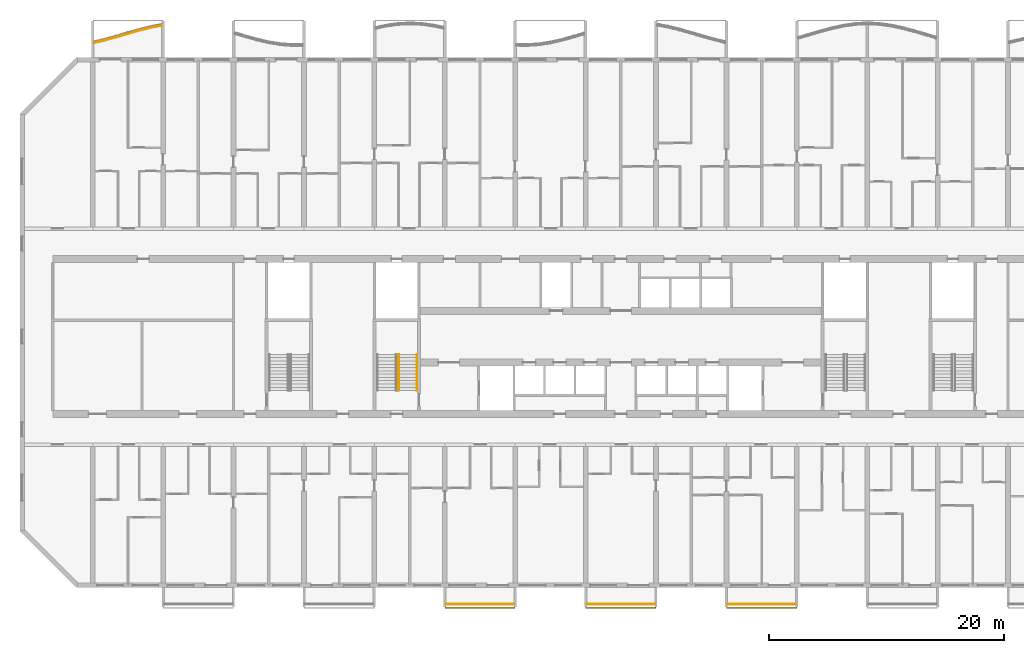
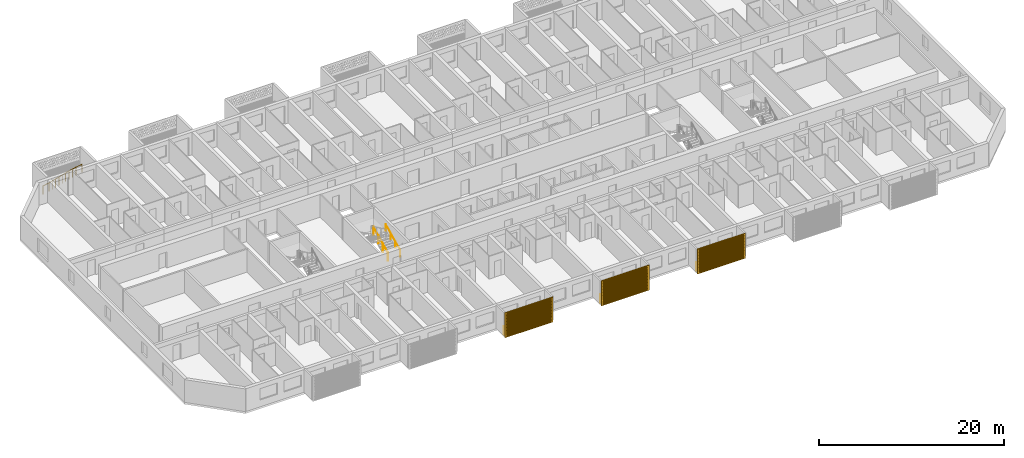
# One storey, part 20 of 38: 6 railings, 3 shading devices.
"""IFC4 building model written with IfcOpenShell, lengths in metres."""

from ifc_helpers import new_model, si_unit, direction, frame, origin, origin_2d, place, context, subcontext, project, spatial, polyline, circle, outline, extrude, source, transform, mapped, material, material_profile, profile_set, type_object, element, save


model = new_model("IFC4")

# Units and contexts
model_context = context("Model", 3, precision=1e-05, world=origin(), true_north=direction((0.0, 1.0)))
body_context = subcontext(model_context, "Body", "Model", "MODEL_VIEW")
ifc_project = project(units=[si_unit("LENGTHUNIT", "METRE"), si_unit("AREAUNIT", "SQUARE_METRE"), si_unit("VOLUMEUNIT", "CUBIC_METRE"), si_unit("PLANEANGLEUNIT", "RADIAN"), si_unit("MASSUNIT", "GRAM", prefix="KILO")], contexts=[model_context])

# Site, building, storey
site_placement = place(None, origin())
site = spatial("IfcSite", under=ifc_project, at=site_placement, CompositionType="ELEMENT")
building_placement = place(site_placement, origin())
building = spatial("IfcBuilding", under=site, at=building_placement, Name="Poui Terraces", CompositionType="ELEMENT")
storey_placement = place(building_placement, frame((0.0, 0.0, 49.800048828125)))
storey = spatial("IfcBuildingStorey", under=building, at=storey_placement, Name="L13", CompositionType="ELEMENT", Elevation=49.800048828125)

# Railings
ifc_material_1 = material(Name="Painted steel fretwork", Category="steel")
railing_type_1 = type_object("IfcRailingType", Name="BALCONY GUARD 1100", PredefinedType="GUARDRAIL", material=ifc_material_1)
railing_1_placement = place(storey_placement, frame((6.125, 46.21923828125, 0.0)))
element("IfcRailing", 1, at=railing_1_placement, inside=storey, type_object=railing_type_1, Name="BALCONY GUARD", PredefinedType="GUARDRAIL", context=body_context, shape_type="SweptSolid", body=[
    extrude(circle(Radius=0.02392578125, at=origin_2d()), frame((0.0, 0.0, 1.076171875), z_axis=(0.974216814209, 0.225613826951, 0.0), x_axis=(-0.225613826951, 0.974216814209, 0.0)), (0.0, 0.0, 1.0), 0.898193359375),
    extrude(circle(Radius=0.02392578125, at=origin_2d()), frame((0.875, 0.20263671875, 1.076171875), z_axis=(0.963988457226, 0.265944081217, 0.0), x_axis=(-0.265944081217, 0.963988457226, 0.0)), (0.0, 0.0, 1.0), 1.037353515625),
    extrude(circle(Radius=0.02392578125, at=origin_2d()), frame((1.875, 0.478515625, 1.076171875), z_axis=(0.958774495191, 0.284168026651, 0.0), x_axis=(-0.284168026651, 0.958774495191, 0.0)), (0.0, 0.0, 1.0), 1.04296875),
    extrude(circle(Radius=0.02392578125, at=origin_2d()), frame((2.875, 0.77490234375, 1.076171875), z_axis=(0.96141758688, 0.275093118121, 0.0), x_axis=(-0.275093118121, 0.96141758688, 0.0)), (0.0, 0.0, 1.0), 1.0400390625),
    extrude(circle(Radius=0.02392578125, at=origin_2d()), frame((3.875, 1.06103515625, 1.076171875), z_axis=(0.970918311966, 0.239411009542, 0.0), x_axis=(-0.239411009542, 0.970918311966, 0.0)), (0.0, 0.0, 1.0), 1.030029296875),
    extrude(circle(Radius=0.02392578125, at=origin_2d()), frame((4.875, 1.3076171875, 1.076171875), z_axis=(0.983119723729, 0.182963408406, 0.0), x_axis=(-0.182963408406, 0.983119723729, 0.0)), (0.0, 0.0, 1.0), 0.89013671875),
    extrude(circle(Radius=0.02099609375, at=origin_2d()), origin(), (0.0, 0.0, 1.0), 1.052001953125),
    extrude(circle(Radius=0.02099609375, at=origin_2d()), frame((0.875, 0.20263671875, 0.0)), (0.0, 0.0, 1.0), 1.052001953125),
    extrude(circle(Radius=0.02099609375, at=origin_2d()), frame((1.375, 0.340576171875, 0.0)), (0.0, 0.0, 1.0), 1.052001953125),
    extrude(circle(Radius=0.02099609375, at=origin_2d()), frame((1.875, 0.478515625, 0.0)), (0.0, 0.0, 1.0), 1.052001953125),
    extrude(circle(Radius=0.02099609375, at=origin_2d()), frame((2.375, 0.626708984375, 0.0)), (0.0, 0.0, 1.0), 1.052001953125),
    extrude(circle(Radius=0.02099609375, at=origin_2d()), frame((2.875, 0.77490234375, 0.0)), (0.0, 0.0, 1.0), 1.052001953125),
    extrude(circle(Radius=0.02099609375, at=origin_2d()), frame((3.375, 0.91796875, 0.0)), (0.0, 0.0, 1.0), 1.052001953125),
    extrude(circle(Radius=0.02099609375, at=origin_2d()), frame((3.875, 1.06103515625, 0.0)), (0.0, 0.0, 1.0), 1.052001953125),
    extrude(circle(Radius=0.02099609375, at=origin_2d()), frame((4.375, 1.184326171875, 0.0)), (0.0, 0.0, 1.0), 1.052001953125),
    extrude(circle(Radius=0.02099609375, at=origin_2d()), frame((4.875, 1.3076171875, 0.0)), (0.0, 0.0, 1.0), 1.052001953125),
    extrude(circle(Radius=0.02099609375, at=origin_2d()), frame((5.75, 1.470458984375, 0.0)), (0.0, 0.0, 1.0), 1.052001953125),
])
for number, where, name in (
    (2, (36.10009765625, -1.570068359375, 0.0), "BALCONY GUARD"),
    (3, (48.10009765625, -1.570068359375, 0.0), "BALCONY GUARD"),
    (4, (60.10009765625, -1.570068359375, 0.0), "BALCONY GUARD"),
):
    element("IfcRailing", number, at=place(storey_placement, frame(where)), inside=storey, type_object=railing_type_1, Name=name, PredefinedType="GUARDRAIL", context=body_context, shape_type="SweptSolid", body=[
        extrude(circle(Radius=0.02392578125, at=origin_2d()), frame((0.0, 0.0, 1.076171875), z_axis=(1.0, 0.0, 0.0), x_axis=(0.0, 1.0, 0.0)), (0.0, 0.0, 1.0), 5.7998046875),
        extrude(circle(Radius=0.02099609375, at=origin_2d()), origin(), (0.0, 0.0, 1.0), 1.052001953125),
        extrude(circle(Radius=0.02099609375, at=origin_2d()), frame((0.966552734375, 0.0, 0.0)), (0.0, 0.0, 1.0), 1.052001953125),
        extrude(circle(Radius=0.02099609375, at=origin_2d()), frame((1.933349609375, 0.0, 0.0)), (0.0, 0.0, 1.0), 1.052001953125),
        extrude(circle(Radius=0.02099609375, at=origin_2d()), frame((2.89990234375, 0.0, 0.0)), (0.0, 0.0, 1.0), 1.052001953125),
        extrude(circle(Radius=0.02099609375, at=origin_2d()), frame((3.866455078125, 0.0, 0.0)), (0.0, 0.0, 1.0), 1.052001953125),
        extrude(circle(Radius=0.02099609375, at=origin_2d()), frame((4.833251953125, 0.0, 0.0)), (0.0, 0.0, 1.0), 1.052001953125),
        extrude(circle(Radius=0.02099609375, at=origin_2d()), frame((5.7998046875, 0.0, 0.0)), (0.0, 0.0, 1.0), 1.052001953125),
    ])
ifc_material_2 = material(Name="Galvanised steel balustrade", Category="steel")
railing_type_2 = type_object("IfcRailingType", Name="STAIR GUARD 1100", PredefinedType="GUARDRAIL", material=ifc_material_2)
railing_2_placement = place(storey_placement, frame((32.074951171875, 16.60009765625, 0.137451171875)))
element("IfcRailing", 5, at=railing_2_placement, inside=storey, type_object=railing_type_2, Name="L13 ST-CW stair guard 1", PredefinedType="GUARDRAIL", context=body_context, shape_type="SweptSolid", body=[
    extrude(circle(Radius=0.02392578125, at=origin_2d()), frame((0.0, 0.0, 1.076171875), z_axis=(0.0, 0.897606190399, 0.440798283751), x_axis=(-1.0, 0.0, 0.0)), (0.0, 0.0, 1.0), 3.43115234375),
    extrude(circle(Radius=0.02099609375, at=origin_2d()), origin(), (0.0, 0.0, 1.0), 1.052001953125),
    extrude(circle(Radius=0.02099609375, at=origin_2d()), frame((0.0, 1.026611328125, 0.504150390625)), (0.0, 0.0, 1.0), 1.052001953125),
    extrude(circle(Radius=0.02099609375, at=origin_2d()), frame((0.0, 2.05322265625, 1.00830078125)), (0.0, 0.0, 1.0), 1.052001953125),
    extrude(circle(Radius=0.02099609375, at=origin_2d()), frame((0.0, 3.079833984375, 1.512451171875)), (0.0, 0.0, 1.0), 1.052001953125),
])
ifc_material_3 = material(Name="Stainless steel handrail", Category="steel")
railing_type_3 = type_object("IfcRailingType", Name="STAIR HANDRAIL 900", PredefinedType="HANDRAIL", material=ifc_material_3)
railing_3_placement = place(storey_placement, frame((33.625, 16.60009765625, 0.137451171875)))
element("IfcRailing", 6, at=railing_3_placement, inside=storey, type_object=railing_type_3, Name="L13 ST-CW stair handrail 1", PredefinedType="HANDRAIL", context=body_context, shape_type="SweptSolid", body=[
    extrude(circle(Radius=0.02392578125, at=origin_2d()), frame((0.0, 0.0, 0.8759765625), z_axis=(0.0, 0.897606190399, 0.440798283751), x_axis=(-1.0, 0.0, 0.0)), (0.0, 0.0, 1.0), 3.43115234375),
    extrude(circle(Radius=0.02099609375, at=origin_2d()), origin(), (0.0, 0.0, 1.0), 0.851806640625),
    extrude(circle(Radius=0.02099609375, at=origin_2d()), frame((0.0, 1.026611328125, 0.504150390625)), (0.0, 0.0, 1.0), 0.851806640625),
    extrude(circle(Radius=0.02099609375, at=origin_2d()), frame((0.0, 2.05322265625, 1.00830078125)), (0.0, 0.0, 1.0), 0.851806640625),
    extrude(circle(Radius=0.02099609375, at=origin_2d()), frame((0.0, 3.079833984375, 1.512451171875)), (0.0, 0.0, 1.0), 0.851806640625),
])

# Shading devices
ifc_material_4 = material(Name="Aluminium louvre", Category="aluminium")
ifc_material_profile = material_profile(ifc_material_4, outline(polyline([(-3.0, -1.64990234375), (3.0, -1.64990234375), (3.0, 1.64990234375), (-3.0, 1.64990234375), (-3.0, -1.64990234375)]), holes=[polyline([(-2.800048828125, -1.530029296875), (2.800048828125, -1.530029296875), (2.800048828125, -1.469970703125), (-2.800048828125, -1.469970703125), (-2.800048828125, -1.530029296875)]), polyline([(-2.800048828125, -1.429931640625), (2.800048828125, -1.429931640625), (2.800048828125, -1.3701171875), (-2.800048828125, -1.3701171875), (-2.800048828125, -1.429931640625)]), polyline([(-2.800048828125, -1.330078125), (2.800048828125, -1.330078125), (2.800048828125, -1.27001953125), (-2.800048828125, -1.27001953125), (-2.800048828125, -1.330078125)]), polyline([(-2.800048828125, -1.22998046875), (2.800048828125, -1.22998046875), (2.800048828125, -1.169921875), (-2.800048828125, -1.169921875), (-2.800048828125, -1.22998046875)]), polyline([(-2.800048828125, -1.1298828125), (2.800048828125, -1.1298828125), (2.800048828125, -1.070068359375), (-2.800048828125, -1.070068359375), (-2.800048828125, -1.1298828125)]), polyline([(-2.800048828125, -1.030029296875), (2.800048828125, -1.030029296875), (2.800048828125, -0.969970703125), (-2.800048828125, -0.969970703125), (-2.800048828125, -1.030029296875)]), polyline([(-2.800048828125, -0.929931640625), (2.800048828125, -0.929931640625), (2.800048828125, -0.8701171875), (-2.800048828125, -0.8701171875), (-2.800048828125, -0.929931640625)]), polyline([(-2.800048828125, -0.830078125), (2.800048828125, -0.830078125), (2.800048828125, -0.77001953125), (-2.800048828125, -0.77001953125), (-2.800048828125, -0.830078125)]), polyline([(-2.800048828125, -0.72998046875), (2.800048828125, -0.72998046875), (2.800048828125, -0.669921875), (-2.800048828125, -0.669921875), (-2.800048828125, -0.72998046875)]), polyline([(-2.800048828125, -0.6298828125), (2.800048828125, -0.6298828125), (2.800048828125, -0.570068359375), (-2.800048828125, -0.570068359375), (-2.800048828125, -0.6298828125)]), polyline([(-2.800048828125, -0.530029296875), (2.800048828125, -0.530029296875), (2.800048828125, -0.469970703125), (-2.800048828125, -0.469970703125), (-2.800048828125, -0.530029296875)]), polyline([(-2.800048828125, -0.429931640625), (2.800048828125, -0.429931640625), (2.800048828125, -0.3701171875), (-2.800048828125, -0.3701171875), (-2.800048828125, -0.429931640625)]), polyline([(-2.800048828125, -0.330078125), (2.800048828125, -0.330078125), (2.800048828125, -0.27001953125), (-2.800048828125, -0.27001953125), (-2.800048828125, -0.330078125)]), polyline([(-2.800048828125, -0.22998046875), (2.800048828125, -0.22998046875), (2.800048828125, -0.169921875), (-2.800048828125, -0.169921875), (-2.800048828125, -0.22998046875)]), polyline([(-2.800048828125, -0.1298828125), (2.800048828125, -0.1298828125), (2.800048828125, -0.070068359375), (-2.800048828125, -0.070068359375), (-2.800048828125, -0.1298828125)]), polyline([(-2.800048828125, -0.030029296875), (2.800048828125, -0.030029296875), (2.800048828125, 0.030029296875), (-2.800048828125, 0.030029296875), (-2.800048828125, -0.030029296875)]), polyline([(-2.800048828125, 0.070068359375), (2.800048828125, 0.070068359375), (2.800048828125, 0.1298828125), (-2.800048828125, 0.1298828125), (-2.800048828125, 0.070068359375)]), polyline([(-2.800048828125, 0.169921875), (2.800048828125, 0.169921875), (2.800048828125, 0.22998046875), (-2.800048828125, 0.22998046875), (-2.800048828125, 0.169921875)]), polyline([(-2.800048828125, 0.27001953125), (2.800048828125, 0.27001953125), (2.800048828125, 0.330078125), (-2.800048828125, 0.330078125), (-2.800048828125, 0.27001953125)]), polyline([(-2.800048828125, 0.3701171875), (2.800048828125, 0.3701171875), (2.800048828125, 0.429931640625), (-2.800048828125, 0.429931640625), (-2.800048828125, 0.3701171875)]), polyline([(-2.800048828125, 0.469970703125), (2.800048828125, 0.469970703125), (2.800048828125, 0.530029296875), (-2.800048828125, 0.530029296875), (-2.800048828125, 0.469970703125)]), polyline([(-2.800048828125, 0.570068359375), (2.800048828125, 0.570068359375), (2.800048828125, 0.6298828125), (-2.800048828125, 0.6298828125), (-2.800048828125, 0.570068359375)]), polyline([(-2.800048828125, 0.669921875), (2.800048828125, 0.669921875), (2.800048828125, 0.72998046875), (-2.800048828125, 0.72998046875), (-2.800048828125, 0.669921875)]), polyline([(-2.800048828125, 0.77001953125), (2.800048828125, 0.77001953125), (2.800048828125, 0.830078125), (-2.800048828125, 0.830078125), (-2.800048828125, 0.77001953125)]), polyline([(-2.800048828125, 0.8701171875), (2.800048828125, 0.8701171875), (2.800048828125, 0.929931640625), (-2.800048828125, 0.929931640625), (-2.800048828125, 0.8701171875)]), polyline([(-2.800048828125, 0.969970703125), (2.800048828125, 0.969970703125), (2.800048828125, 1.030029296875), (-2.800048828125, 1.030029296875), (-2.800048828125, 0.969970703125)]), polyline([(-2.800048828125, 1.070068359375), (2.800048828125, 1.070068359375), (2.800048828125, 1.1298828125), (-2.800048828125, 1.1298828125), (-2.800048828125, 1.070068359375)]), polyline([(-2.800048828125, 1.169921875), (2.800048828125, 1.169921875), (2.800048828125, 1.22998046875), (-2.800048828125, 1.22998046875), (-2.800048828125, 1.169921875)]), polyline([(-2.800048828125, 1.27001953125), (2.800048828125, 1.27001953125), (2.800048828125, 1.330078125), (-2.800048828125, 1.330078125), (-2.800048828125, 1.27001953125)]), polyline([(-2.800048828125, 1.3701171875), (2.800048828125, 1.3701171875), (2.800048828125, 1.429931640625), (-2.800048828125, 1.429931640625), (-2.800048828125, 1.3701171875)]), polyline([(-2.800048828125, 1.469970703125), (2.800048828125, 1.469970703125), (2.800048828125, 1.530029296875), (-2.800048828125, 1.530029296875), (-2.800048828125, 1.469970703125)])]), Name="JALOUSIE LOUVRE SHUTTER 6000X3300")
ifc_profile_set = profile_set([ifc_material_profile], Name="Aluminium louvre")
shading_device_type = type_object("IfcShadingDeviceType", Name="JALOUSIE LOUVRE SHUTTER 6000X3300", PredefinedType="JALOUSIE", material=ifc_profile_set)
shared_shape = source(origin(), body_context, "Body", "SweptSolid", [
    extrude(outline(polyline([(-3.0, -1.64990234375), (3.0, -1.64990234375), (3.0, 1.64990234375), (-3.0, 1.64990234375), (-3.0, -1.64990234375)]), holes=[polyline([(-2.800048828125, -1.530029296875), (2.800048828125, -1.530029296875), (2.800048828125, -1.469970703125), (-2.800048828125, -1.469970703125), (-2.800048828125, -1.530029296875)]), polyline([(-2.800048828125, -1.429931640625), (2.800048828125, -1.429931640625), (2.800048828125, -1.3701171875), (-2.800048828125, -1.3701171875), (-2.800048828125, -1.429931640625)]), polyline([(-2.800048828125, -1.330078125), (2.800048828125, -1.330078125), (2.800048828125, -1.27001953125), (-2.800048828125, -1.27001953125), (-2.800048828125, -1.330078125)]), polyline([(-2.800048828125, -1.22998046875), (2.800048828125, -1.22998046875), (2.800048828125, -1.169921875), (-2.800048828125, -1.169921875), (-2.800048828125, -1.22998046875)]), polyline([(-2.800048828125, -1.1298828125), (2.800048828125, -1.1298828125), (2.800048828125, -1.070068359375), (-2.800048828125, -1.070068359375), (-2.800048828125, -1.1298828125)]), polyline([(-2.800048828125, -1.030029296875), (2.800048828125, -1.030029296875), (2.800048828125, -0.969970703125), (-2.800048828125, -0.969970703125), (-2.800048828125, -1.030029296875)]), polyline([(-2.800048828125, -0.929931640625), (2.800048828125, -0.929931640625), (2.800048828125, -0.8701171875), (-2.800048828125, -0.8701171875), (-2.800048828125, -0.929931640625)]), polyline([(-2.800048828125, -0.830078125), (2.800048828125, -0.830078125), (2.800048828125, -0.77001953125), (-2.800048828125, -0.77001953125), (-2.800048828125, -0.830078125)]), polyline([(-2.800048828125, -0.72998046875), (2.800048828125, -0.72998046875), (2.800048828125, -0.669921875), (-2.800048828125, -0.669921875), (-2.800048828125, -0.72998046875)]), polyline([(-2.800048828125, -0.6298828125), (2.800048828125, -0.6298828125), (2.800048828125, -0.570068359375), (-2.800048828125, -0.570068359375), (-2.800048828125, -0.6298828125)]), polyline([(-2.800048828125, -0.530029296875), (2.800048828125, -0.530029296875), (2.800048828125, -0.469970703125), (-2.800048828125, -0.469970703125), (-2.800048828125, -0.530029296875)]), polyline([(-2.800048828125, -0.429931640625), (2.800048828125, -0.429931640625), (2.800048828125, -0.3701171875), (-2.800048828125, -0.3701171875), (-2.800048828125, -0.429931640625)]), polyline([(-2.800048828125, -0.330078125), (2.800048828125, -0.330078125), (2.800048828125, -0.27001953125), (-2.800048828125, -0.27001953125), (-2.800048828125, -0.330078125)]), polyline([(-2.800048828125, -0.22998046875), (2.800048828125, -0.22998046875), (2.800048828125, -0.169921875), (-2.800048828125, -0.169921875), (-2.800048828125, -0.22998046875)]), polyline([(-2.800048828125, -0.1298828125), (2.800048828125, -0.1298828125), (2.800048828125, -0.070068359375), (-2.800048828125, -0.070068359375), (-2.800048828125, -0.1298828125)]), polyline([(-2.800048828125, -0.030029296875), (2.800048828125, -0.030029296875), (2.800048828125, 0.030029296875), (-2.800048828125, 0.030029296875), (-2.800048828125, -0.030029296875)]), polyline([(-2.800048828125, 0.070068359375), (2.800048828125, 0.070068359375), (2.800048828125, 0.1298828125), (-2.800048828125, 0.1298828125), (-2.800048828125, 0.070068359375)]), polyline([(-2.800048828125, 0.169921875), (2.800048828125, 0.169921875), (2.800048828125, 0.22998046875), (-2.800048828125, 0.22998046875), (-2.800048828125, 0.169921875)]), polyline([(-2.800048828125, 0.27001953125), (2.800048828125, 0.27001953125), (2.800048828125, 0.330078125), (-2.800048828125, 0.330078125), (-2.800048828125, 0.27001953125)]), polyline([(-2.800048828125, 0.3701171875), (2.800048828125, 0.3701171875), (2.800048828125, 0.429931640625), (-2.800048828125, 0.429931640625), (-2.800048828125, 0.3701171875)]), polyline([(-2.800048828125, 0.469970703125), (2.800048828125, 0.469970703125), (2.800048828125, 0.530029296875), (-2.800048828125, 0.530029296875), (-2.800048828125, 0.469970703125)]), polyline([(-2.800048828125, 0.570068359375), (2.800048828125, 0.570068359375), (2.800048828125, 0.6298828125), (-2.800048828125, 0.6298828125), (-2.800048828125, 0.570068359375)]), polyline([(-2.800048828125, 0.669921875), (2.800048828125, 0.669921875), (2.800048828125, 0.72998046875), (-2.800048828125, 0.72998046875), (-2.800048828125, 0.669921875)]), polyline([(-2.800048828125, 0.77001953125), (2.800048828125, 0.77001953125), (2.800048828125, 0.830078125), (-2.800048828125, 0.830078125), (-2.800048828125, 0.77001953125)]), polyline([(-2.800048828125, 0.8701171875), (2.800048828125, 0.8701171875), (2.800048828125, 0.929931640625), (-2.800048828125, 0.929931640625), (-2.800048828125, 0.8701171875)]), polyline([(-2.800048828125, 0.969970703125), (2.800048828125, 0.969970703125), (2.800048828125, 1.030029296875), (-2.800048828125, 1.030029296875), (-2.800048828125, 0.969970703125)]), polyline([(-2.800048828125, 1.070068359375), (2.800048828125, 1.070068359375), (2.800048828125, 1.1298828125), (-2.800048828125, 1.1298828125), (-2.800048828125, 1.070068359375)]), polyline([(-2.800048828125, 1.169921875), (2.800048828125, 1.169921875), (2.800048828125, 1.22998046875), (-2.800048828125, 1.22998046875), (-2.800048828125, 1.169921875)]), polyline([(-2.800048828125, 1.27001953125), (2.800048828125, 1.27001953125), (2.800048828125, 1.330078125), (-2.800048828125, 1.330078125), (-2.800048828125, 1.27001953125)]), polyline([(-2.800048828125, 1.3701171875), (2.800048828125, 1.3701171875), (2.800048828125, 1.429931640625), (-2.800048828125, 1.429931640625), (-2.800048828125, 1.3701171875)]), polyline([(-2.800048828125, 1.469970703125), (2.800048828125, 1.469970703125), (2.800048828125, 1.530029296875), (-2.800048828125, 1.530029296875), (-2.800048828125, 1.469970703125)])]), origin(), (0.0, 0.0, 1.0), 0.099853515625),
])
for number, where, z_axis, x_axis, name in (
    (7, (39.0, -1.85009765625, 1.449951171875), (0.0, -1.0, 0.0), (1.0, 0.0, 0.0), "JALOUSIE LOUVRE SHUTTER"),
    (8, (51.0, -1.85009765625, 1.449951171875), (0.0, -1.0, 0.0), (1.0, 0.0, 0.0), "JALOUSIE LOUVRE SHUTTER"),
    (9, (63.0, -1.85009765625, 1.449951171875), (0.0, -1.0, 0.0), (1.0, 0.0, 0.0), "JALOUSIE LOUVRE SHUTTER"),
):
    element("IfcShadingDevice", number, at=place(storey_placement, frame(where, z_axis=z_axis, x_axis=x_axis)), inside=storey, type_object=shading_device_type, Name=name, PredefinedType="JALOUSIE", context=body_context, shape_type="MappedRepresentation", body=[
        mapped(shared_shape, transform((0.0, 0.0, 0.0))),
    ])

save(model, "model.ifc")
